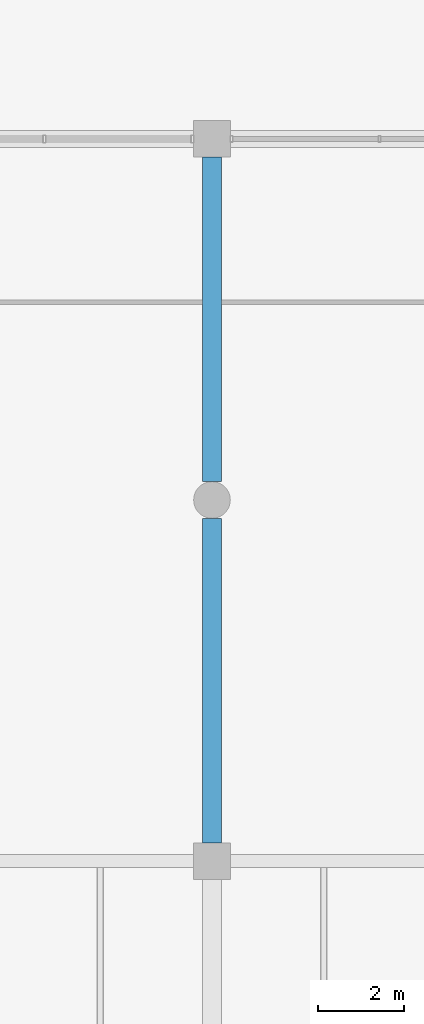
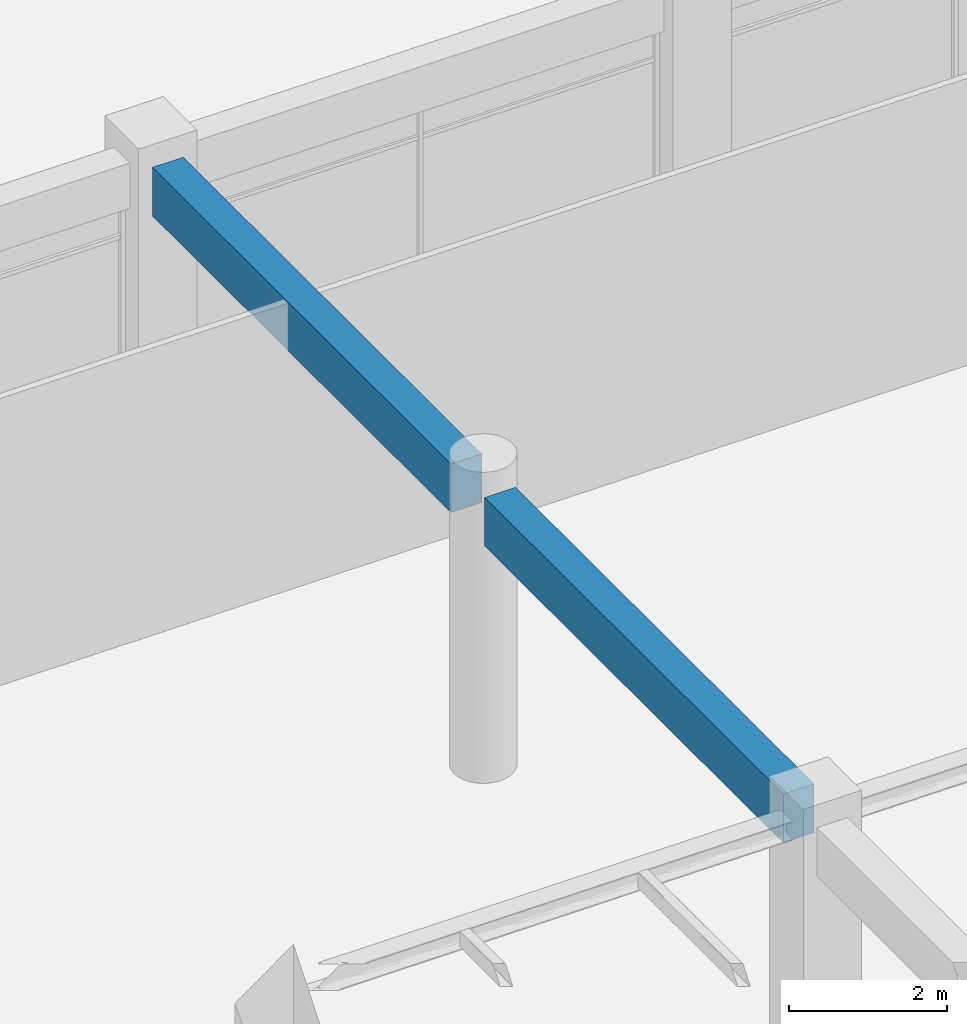
# One storey, part 14 of 74: 2 beams.
"""IFC4 building model written with IfcOpenShell, lengths in metres."""

from ifc_helpers import new_model, si_unit, direction, frame, origin, origin_2d, place, context, subcontext, project, spatial, rectangle, extrude, material, material_profile, profile_set, type_object, element, save


model = new_model("IFC4")

# Units and contexts
model_context = context("Model", 3, precision=1e-05, world=origin(), true_north=direction((0.0, 1.0)))
body_context = subcontext(model_context, "Body", "Model", "MODEL_VIEW")
ifc_project = project(units=[si_unit("LENGTHUNIT", "METRE"), si_unit("AREAUNIT", "SQUARE_METRE"), si_unit("VOLUMEUNIT", "CUBIC_METRE"), si_unit("PLANEANGLEUNIT", "RADIAN"), si_unit("MASSUNIT", "GRAM", prefix="KILO"), si_unit("THERMODYNAMICTEMPERATUREUNIT", "KELVIN"), si_unit("POWERUNIT", "WATT")], contexts=[model_context])

# Site, building, storey
site_placement = place(None, origin())
site = spatial("IfcSite", under=ifc_project, at=site_placement, CompositionType="ELEMENT")
building_placement = place(site_placement, origin())
building = spatial("IfcBuilding", under=site, at=building_placement, Name="Srebrne Nadtorze General Hospital", CompositionType="ELEMENT")
storey_placement = place(building_placement, origin())
storey = spatial("IfcBuildingStorey", under=building, at=storey_placement, Name="L00", CompositionType="ELEMENT", Elevation=0.0)

# Beams
ifc_material = material(Name="Concrete C40/50", Category="concrete")
ifc_material_profile = material_profile(ifc_material, rectangle(XDim=0.449951171875, YDim=0.75, at=origin_2d()), Name="RC-BM-450x750")
ifc_profile_set = profile_set([ifc_material_profile], Name="Concrete C40/50")
beam_type = type_object("IfcBeamType", Name="Primary beam RC 450x750", PredefinedType="BEAM", material=ifc_profile_set)
beam_1_placement = place(storey_placement, frame((78.0, 8.824951171875, 4.074951171875), z_axis=(0.0, 1.0, 0.0), x_axis=(-1.0, 0.0, 0.0)))
element("IfcBeam", 1, at=beam_1_placement, inside=storey, type_object=beam_type, Name="Beam BM-L00-Y-0315", PredefinedType="BEAM", context=body_context, shape_type="SweptSolid", body=[
    extrude(rectangle(XDim=0.449951171875, YDim=0.75, at=origin_2d()), origin(), (0.0, 0.0, 1.0), 7.550048828125),
])
beam_2_placement = place(storey_placement, frame((78.0, 17.22509765625, 4.074951171875), z_axis=(0.0, 1.0, 0.0), x_axis=(-1.0, 0.0, 0.0)))
element("IfcBeam", 2, at=beam_2_placement, inside=storey, type_object=beam_type, Name="Beam BM-L00-Y-0316", PredefinedType="BEAM", context=body_context, shape_type="SweptSolid", body=[
    extrude(rectangle(XDim=0.449951171875, YDim=0.75, at=origin_2d()), origin(), (0.0, 0.0, 1.0), 7.5498046875),
])

save(model, "model.ifc")
